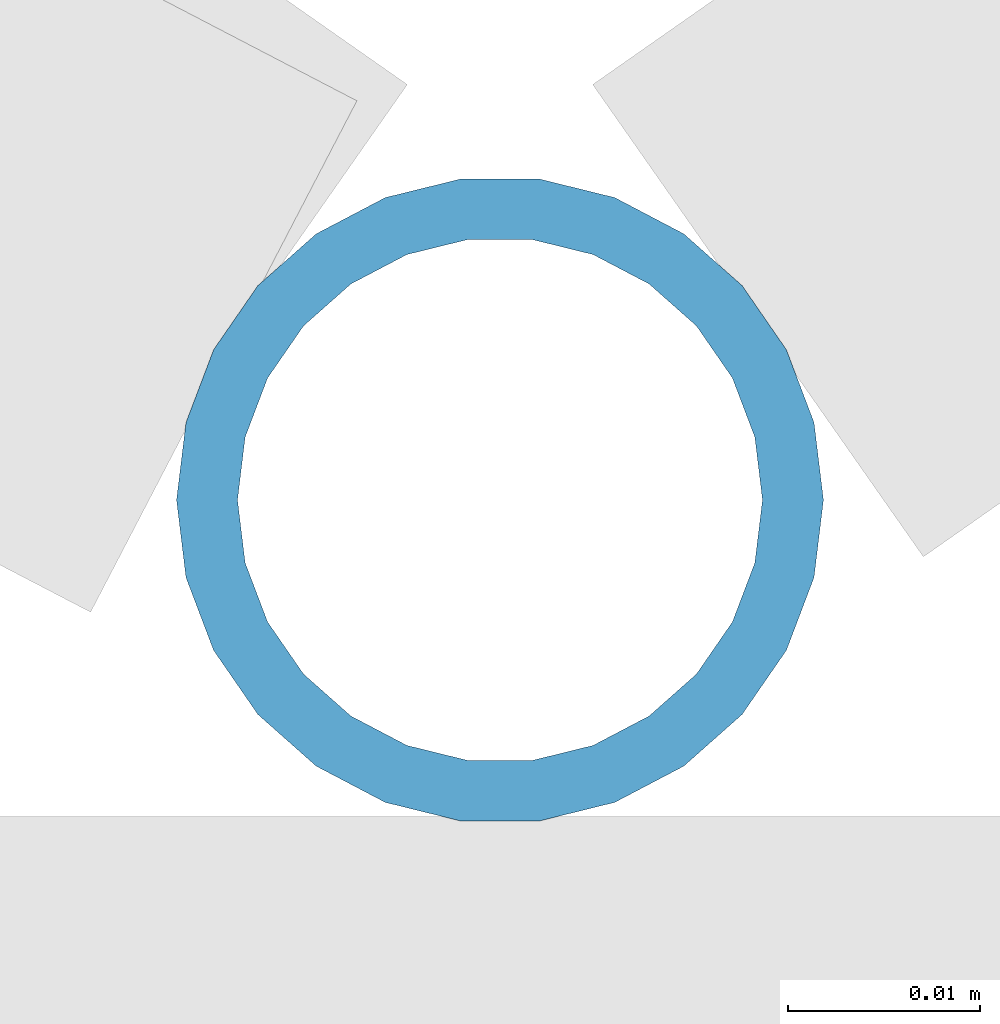
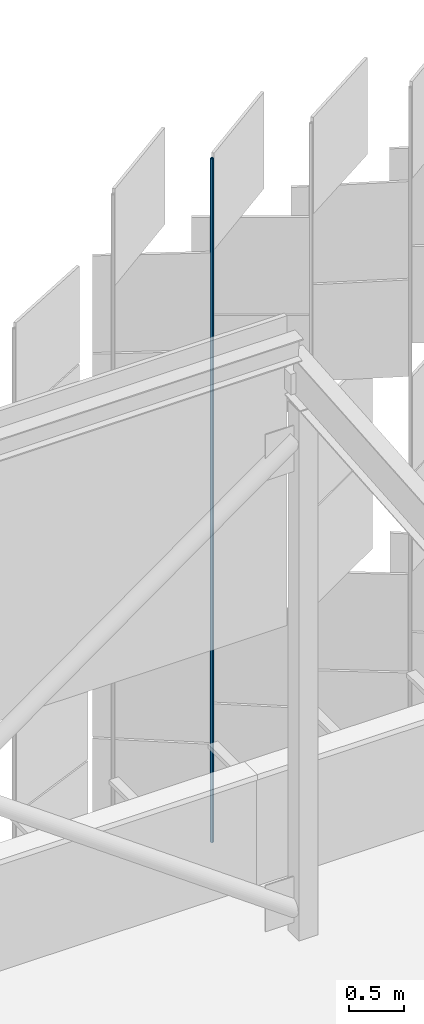
# One storey, part 380 of 483: 1 discrete accessory.
"""IFC4 building model written with IfcOpenShell, lengths in metres."""

from ifc_helpers import new_model, si_unit, direction, frame, origin, origin_2d, place, context, subcontext, project, spatial, hollow_circle, extrude, material, material_profile, profile_set, type_object, element, save


model = new_model("IFC4")

# Units and contexts
model_context = context("Model", 3, precision=1e-05, world=origin(), true_north=direction((0.0, 1.0)))
body_context = subcontext(model_context, "Body", "Model", "MODEL_VIEW")
ifc_project = project(units=[si_unit("LENGTHUNIT", "METRE"), si_unit("AREAUNIT", "SQUARE_METRE"), si_unit("VOLUMEUNIT", "CUBIC_METRE"), si_unit("PLANEANGLEUNIT", "RADIAN"), si_unit("MASSUNIT", "GRAM", prefix="KILO")], contexts=[model_context])

# Site, building, storey
site_placement = place(None, origin())
site = spatial("IfcSite", under=ifc_project, at=site_placement, CompositionType="ELEMENT")
building_placement = place(site_placement, origin())
building = spatial("IfcBuilding", under=site, at=building_placement, Name="Parallax Yard Mobility Hub", CompositionType="ELEMENT")
storey_placement = place(building_placement, frame((0.0, 0.0, 13.199951171875)))
storey = spatial("IfcBuildingStorey", under=building, at=storey_placement, Name="L04", CompositionType="ELEMENT", Elevation=13.199951171875)

# Discrete accessory
ifc_material = material(Name="Steel ASTM A500 Gr C, hot-dip galvanised", Category="steel")
ifc_material_profile = material_profile(ifc_material, hollow_circle(Radius=0.016845703125, WallThickness=0.003173828125, at=origin_2d()), Name="CHS 33.7x3.2")
ifc_profile_set = profile_set([ifc_material_profile], Name="Steel ASTM A500 Gr C, hot-dip galvanised")
discrete_accessory_type = type_object("IfcDiscreteAccessoryType", Name="Hinge post CHS 33.7x3.2", PredefinedType="BRACKET", material=ifc_profile_set)
discrete_accessory_placement = place(storey_placement, frame((165.0009765625, 143.0712890625, 0.0), z_axis=(0.0, 0.0, 1.0), x_axis=(1.0, 0.0, 0.0)))
element("IfcDiscreteAccessory", 1, at=discrete_accessory_placement, inside=storey, type_object=discrete_accessory_type, Name="Hinge post bay 52.1 level L04", PredefinedType="BRACKET", context=body_context, shape_type="SweptSolid", body=[
    extrude(hollow_circle(Radius=0.016845703125, WallThickness=0.003173828125, at=origin_2d()), origin(), (0.0, 0.0, 1.0), 7.650146484375),
])

save(model, "model.ifc")
